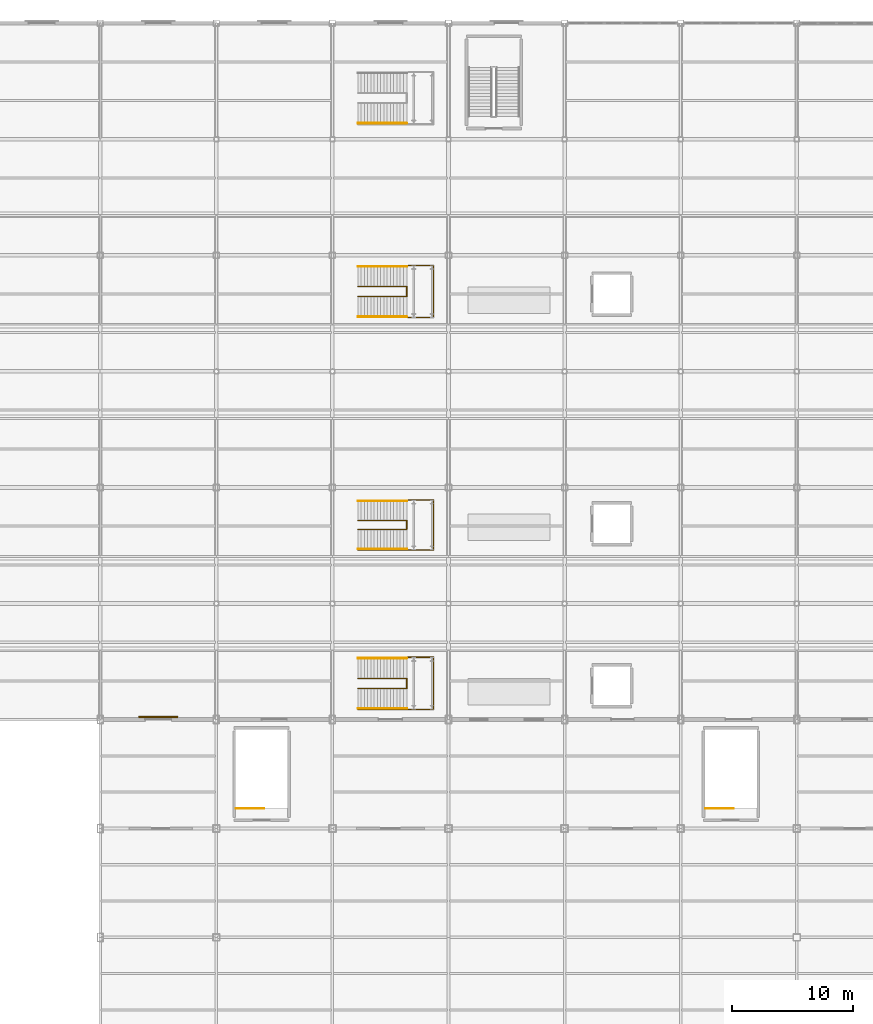
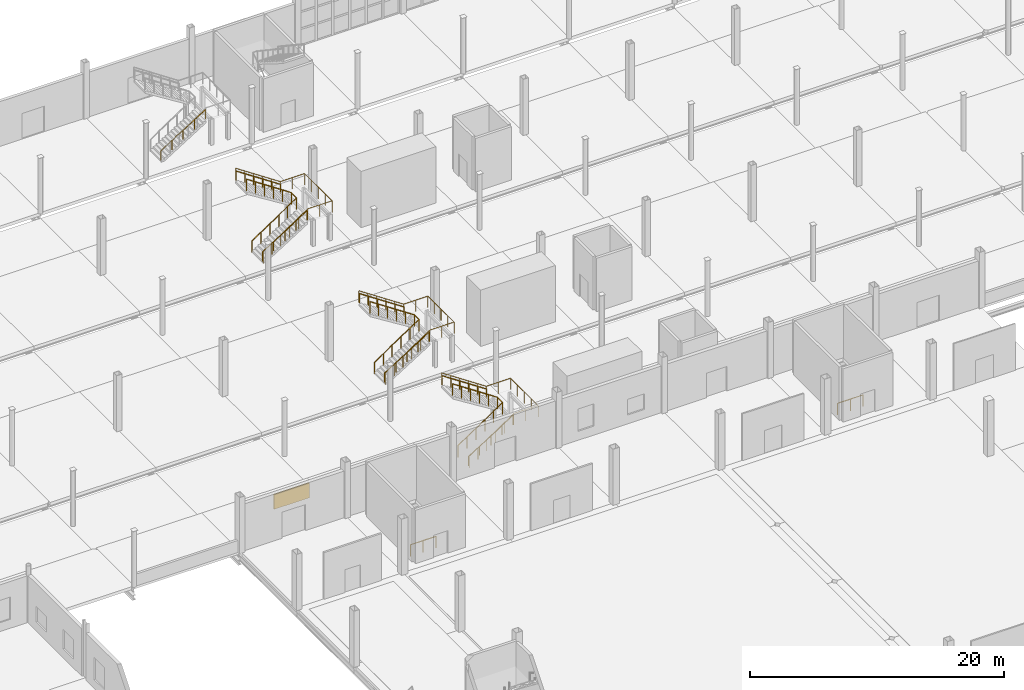
# One storey, part 81 of 85: 15 railings, 1 shading device.
"""IFC4 building model written with IfcOpenShell, lengths in metres."""

from ifc_helpers import new_model, si_unit, direction, frame, origin, origin_2d, place, context, subcontext, project, spatial, rectangle, circle, extrude, material, type_object, element, save


model = new_model("IFC4")

# Units and contexts
model_context = context("Model", 3, precision=1e-05, world=origin(), true_north=direction((0.0, 1.0)))
body_context = subcontext(model_context, "Body", "Model", "MODEL_VIEW")
ifc_project = project(units=[si_unit("LENGTHUNIT", "METRE"), si_unit("AREAUNIT", "SQUARE_METRE"), si_unit("VOLUMEUNIT", "CUBIC_METRE"), si_unit("PLANEANGLEUNIT", "RADIAN"), si_unit("MASSUNIT", "GRAM", prefix="KILO")], contexts=[model_context])

# Site, building, storey
site_placement = place(None, origin())
site = spatial("IfcSite", under=ifc_project, at=site_placement, CompositionType="ELEMENT")
building_placement = place(site_placement, origin())
building = spatial("IfcBuilding", under=site, at=building_placement, Name="Zarnetskaya Central Station", CompositionType="ELEMENT")
storey_placement = place(building_placement, origin())
storey = spatial("IfcBuildingStorey", under=building, at=storey_placement, Name="L00", CompositionType="ELEMENT", Elevation=0.0)

# Railings
ifc_material_1 = material(Name="Steel S355", Category="steel")
railing_type_1 = type_object("IfcRailingType", Name="RAIL-HAND-900", PredefinedType="HANDRAIL", material=ifc_material_1)
railing_1_placement = place(storey_placement, frame((78.89990234375, 68.1201171875, 0.168701171875)))
element("IfcRailing", 1, at=railing_1_placement, inside=storey, type_object=railing_type_1, Name="Platform stair ST-P1 handrail 1", PredefinedType="HANDRAIL", context=body_context, shape_type="SweptSolid", body=[
    extrude(circle(Radius=0.02392578125, at=origin_2d()), frame((0.0, 0.0, 0.8759765625), z_axis=(0.848001175806, 0.0, 0.529994345094), x_axis=(0.0, 1.0, 0.0)), (0.0, 0.0, 1.0), 4.77587890625),
    extrude(circle(Radius=0.02099609375, at=origin_2d()), origin(), (0.0, 0.0, 1.0), 0.851806640625),
    extrude(circle(Radius=0.02099609375, at=origin_2d()), frame((1.012451171875, 0.0, 0.6328125)), (0.0, 0.0, 1.0), 0.851806640625),
    extrude(circle(Radius=0.02099609375, at=origin_2d()), frame((2.02490234375, 0.0, 1.265625)), (0.0, 0.0, 1.0), 0.851806640625),
    extrude(circle(Radius=0.02099609375, at=origin_2d()), frame((3.03759765625, 0.0, 1.8984375)), (0.0, 0.0, 1.0), 0.851806640625),
    extrude(circle(Radius=0.02099609375, at=origin_2d()), frame((4.050048828125, 0.0, 2.53125)), (0.0, 0.0, 1.0), 0.851806640625),
])
railing_2_placement = place(storey_placement, frame((82.949951171875, 72.280029296875, 2.699951171875)))
element("IfcRailing", 2, at=railing_2_placement, inside=storey, type_object=railing_type_1, Name="Platform stair ST-P1 handrail 2", PredefinedType="HANDRAIL", context=body_context, shape_type="SweptSolid", body=[
    extrude(circle(Radius=0.02392578125, at=origin_2d()), frame((0.0, 0.0, 0.8759765625), z_axis=(-0.832058010752, 0.0, 0.55468862143), x_axis=(0.0, -1.0, 0.0)), (0.0, 0.0, 1.0), 4.867431640625),
    extrude(circle(Radius=0.02099609375, at=origin_2d()), origin(), (0.0, 0.0, 1.0), 0.851806640625),
    extrude(circle(Radius=0.02099609375, at=origin_2d()), frame((-0.81005859375, 0.0, 0.5400390625)), (0.0, 0.0, 1.0), 0.851806640625),
    extrude(circle(Radius=0.02099609375, at=origin_2d()), frame((-1.6201171875, 0.0, 1.080078125)), (0.0, 0.0, 1.0), 0.851806640625),
    extrude(circle(Radius=0.02099609375, at=origin_2d()), frame((-2.429931640625, 0.0, 1.619873046875)), (0.0, 0.0, 1.0), 0.851806640625),
    extrude(circle(Radius=0.02099609375, at=origin_2d()), frame((-3.239990234375, 0.0, 2.159912109375)), (0.0, 0.0, 1.0), 0.851806640625),
    extrude(circle(Radius=0.02099609375, at=origin_2d()), frame((-4.050048828125, 0.0, 2.699951171875)), (0.0, 0.0, 1.0), 0.851806640625),
])
railing_3_placement = place(storey_placement, frame((78.89990234375, 81.320068359375, 0.168701171875)))
element("IfcRailing", 3, at=railing_3_placement, inside=storey, type_object=railing_type_1, Name="Platform stair ST-P2 handrail 1", PredefinedType="HANDRAIL", context=body_context, shape_type="SweptSolid", body=[
    extrude(circle(Radius=0.02392578125, at=origin_2d()), frame((0.0, 0.0, 0.8759765625), z_axis=(0.848001175806, 0.0, 0.529994345094), x_axis=(0.0, 1.0, 0.0)), (0.0, 0.0, 1.0), 4.77587890625),
    extrude(circle(Radius=0.02099609375, at=origin_2d()), origin(), (0.0, 0.0, 1.0), 0.851806640625),
    extrude(circle(Radius=0.02099609375, at=origin_2d()), frame((1.012451171875, 0.0, 0.6328125)), (0.0, 0.0, 1.0), 0.851806640625),
    extrude(circle(Radius=0.02099609375, at=origin_2d()), frame((2.02490234375, 0.0, 1.265625)), (0.0, 0.0, 1.0), 0.851806640625),
    extrude(circle(Radius=0.02099609375, at=origin_2d()), frame((3.03759765625, 0.0, 1.8984375)), (0.0, 0.0, 1.0), 0.851806640625),
    extrude(circle(Radius=0.02099609375, at=origin_2d()), frame((4.050048828125, 0.0, 2.53125)), (0.0, 0.0, 1.0), 0.851806640625),
])
railing_4_placement = place(storey_placement, frame((82.949951171875, 85.280029296875, 2.699951171875)))
element("IfcRailing", 4, at=railing_4_placement, inside=storey, type_object=railing_type_1, Name="Platform stair ST-P2 handrail 2", PredefinedType="HANDRAIL", context=body_context, shape_type="SweptSolid", body=[
    extrude(circle(Radius=0.02392578125, at=origin_2d()), frame((0.0, 0.0, 0.8759765625), z_axis=(-0.832058010752, 0.0, 0.55468862143), x_axis=(0.0, -1.0, 0.0)), (0.0, 0.0, 1.0), 4.867431640625),
    extrude(circle(Radius=0.02099609375, at=origin_2d()), origin(), (0.0, 0.0, 1.0), 0.851806640625),
    extrude(circle(Radius=0.02099609375, at=origin_2d()), frame((-0.81005859375, 0.0, 0.5400390625)), (0.0, 0.0, 1.0), 0.851806640625),
    extrude(circle(Radius=0.02099609375, at=origin_2d()), frame((-1.6201171875, 0.0, 1.080078125)), (0.0, 0.0, 1.0), 0.851806640625),
    extrude(circle(Radius=0.02099609375, at=origin_2d()), frame((-2.429931640625, 0.0, 1.619873046875)), (0.0, 0.0, 1.0), 0.851806640625),
    extrude(circle(Radius=0.02099609375, at=origin_2d()), frame((-3.239990234375, 0.0, 2.159912109375)), (0.0, 0.0, 1.0), 0.851806640625),
    extrude(circle(Radius=0.02099609375, at=origin_2d()), frame((-4.050048828125, 0.0, 2.699951171875)), (0.0, 0.0, 1.0), 0.851806640625),
])
railing_5_placement = place(storey_placement, frame((78.89990234375, 100.52001953125, 0.168701171875)))
element("IfcRailing", 5, at=railing_5_placement, inside=storey, type_object=railing_type_1, Name="Platform stair ST-P3 handrail 1", PredefinedType="HANDRAIL", context=body_context, shape_type="SweptSolid", body=[
    extrude(circle(Radius=0.02392578125, at=origin_2d()), frame((0.0, 0.0, 0.8759765625), z_axis=(0.848001175806, 0.0, 0.529994345094), x_axis=(0.0, 1.0, 0.0)), (0.0, 0.0, 1.0), 4.77587890625),
    extrude(circle(Radius=0.02099609375, at=origin_2d()), origin(), (0.0, 0.0, 1.0), 0.851806640625),
    extrude(circle(Radius=0.02099609375, at=origin_2d()), frame((1.012451171875, 0.0, 0.6328125)), (0.0, 0.0, 1.0), 0.851806640625),
    extrude(circle(Radius=0.02099609375, at=origin_2d()), frame((2.02490234375, 0.0, 1.265625)), (0.0, 0.0, 1.0), 0.851806640625),
    extrude(circle(Radius=0.02099609375, at=origin_2d()), frame((3.03759765625, 0.0, 1.8984375)), (0.0, 0.0, 1.0), 0.851806640625),
    extrude(circle(Radius=0.02099609375, at=origin_2d()), frame((4.050048828125, 0.0, 2.53125)), (0.0, 0.0, 1.0), 0.851806640625),
])
railing_6_placement = place(storey_placement, frame((82.949951171875, 104.679931640625, 2.699951171875)))
element("IfcRailing", 6, at=railing_6_placement, inside=storey, type_object=railing_type_1, Name="Platform stair ST-P3 handrail 2", PredefinedType="HANDRAIL", context=body_context, shape_type="SweptSolid", body=[
    extrude(circle(Radius=0.02392578125, at=origin_2d()), frame((0.0, 0.0, 0.8759765625), z_axis=(-0.832058010752, 0.0, 0.55468862143), x_axis=(0.0, -1.0, 0.0)), (0.0, 0.0, 1.0), 4.867431640625),
    extrude(circle(Radius=0.02099609375, at=origin_2d()), origin(), (0.0, 0.0, 1.0), 0.851806640625),
    extrude(circle(Radius=0.02099609375, at=origin_2d()), frame((-0.81005859375, 0.0, 0.5400390625)), (0.0, 0.0, 1.0), 0.851806640625),
    extrude(circle(Radius=0.02099609375, at=origin_2d()), frame((-1.6201171875, 0.0, 1.080078125)), (0.0, 0.0, 1.0), 0.851806640625),
    extrude(circle(Radius=0.02099609375, at=origin_2d()), frame((-2.429931640625, 0.0, 1.619873046875)), (0.0, 0.0, 1.0), 0.851806640625),
    extrude(circle(Radius=0.02099609375, at=origin_2d()), frame((-3.239990234375, 0.0, 2.159912109375)), (0.0, 0.0, 1.0), 0.851806640625),
    extrude(circle(Radius=0.02099609375, at=origin_2d()), frame((-4.050048828125, 0.0, 2.699951171875)), (0.0, 0.0, 1.0), 0.851806640625),
])
railing_7_placement = place(storey_placement, frame((78.89990234375, 116.52001953125, 0.168701171875)))
element("IfcRailing", 7, at=railing_7_placement, inside=storey, type_object=railing_type_1, Name="Platform stair ST-P4 handrail 1", PredefinedType="HANDRAIL", context=body_context, shape_type="SweptSolid", body=[
    extrude(circle(Radius=0.02392578125, at=origin_2d()), frame((0.0, 0.0, 0.8759765625), z_axis=(0.848001175806, 0.0, 0.529994345094), x_axis=(0.0, 1.0, 0.0)), (0.0, 0.0, 1.0), 4.77587890625),
    extrude(circle(Radius=0.02099609375, at=origin_2d()), origin(), (0.0, 0.0, 1.0), 0.851806640625),
    extrude(circle(Radius=0.02099609375, at=origin_2d()), frame((1.012451171875, 0.0, 0.6328125)), (0.0, 0.0, 1.0), 0.851806640625),
    extrude(circle(Radius=0.02099609375, at=origin_2d()), frame((2.02490234375, 0.0, 1.265625)), (0.0, 0.0, 1.0), 0.851806640625),
    extrude(circle(Radius=0.02099609375, at=origin_2d()), frame((3.03759765625, 0.0, 1.8984375)), (0.0, 0.0, 1.0), 0.851806640625),
    extrude(circle(Radius=0.02099609375, at=origin_2d()), frame((4.050048828125, 0.0, 2.53125)), (0.0, 0.0, 1.0), 0.851806640625),
])
railing_type_2 = type_object("IfcRailingType", Name="RAIL-STAIR-GRD", PredefinedType="BALUSTRADE", material=ifc_material_1)
railing_8_placement = place(storey_placement, frame((68.840087890625, 59.860107421875, 0.0)))
element("IfcRailing", 8, at=railing_8_placement, inside=storey, type_object=railing_type_2, Name="Stair ST-U1 L00 floor well guard", PredefinedType="BALUSTRADE", context=body_context, shape_type="SweptSolid", body=[
    extrude(circle(Radius=0.02392578125, at=origin_2d()), frame((0.0, 0.0, 1.09619140625), z_axis=(1.0, 0.0, 0.0), x_axis=(0.0, 1.0, 0.0)), (0.0, 0.0, 1.0), 2.31982421875),
    extrude(circle(Radius=0.02099609375, at=origin_2d()), origin(), (0.0, 0.0, 1.0), 1.072021484375),
    extrude(circle(Radius=0.02099609375, at=origin_2d()), frame((1.159912109375, 0.0, 0.0)), (0.0, 0.0, 1.0), 1.072021484375),
    extrude(circle(Radius=0.02099609375, at=origin_2d()), frame((2.31982421875, 0.0, 0.0)), (0.0, 0.0, 1.0), 1.072021484375),
])
railing_9_placement = place(storey_placement, frame((107.639892578125, 59.860107421875, 0.0)))
element("IfcRailing", 9, at=railing_9_placement, inside=storey, type_object=railing_type_2, Name="Stair ST-U2 L00 floor well guard", PredefinedType="BALUSTRADE", context=body_context, shape_type="SweptSolid", body=[
    extrude(circle(Radius=0.02392578125, at=origin_2d()), frame((0.0, 0.0, 1.09619140625), z_axis=(1.0, 0.0, 0.0), x_axis=(0.0, 1.0, 0.0)), (0.0, 0.0, 1.0), 2.320068359375),
    extrude(circle(Radius=0.02099609375, at=origin_2d()), origin(), (0.0, 0.0, 1.0), 1.072021484375),
    extrude(circle(Radius=0.02099609375, at=origin_2d()), frame((1.16015625, 0.0, 0.0)), (0.0, 0.0, 1.0), 1.072021484375),
    extrude(circle(Radius=0.02099609375, at=origin_2d()), frame((2.320068359375, 0.0, 0.0)), (0.0, 0.0, 1.0), 1.072021484375),
])
railing_10_placement = place(storey_placement, frame((78.89990234375, 68.0400390625, 0.0)))
element("IfcRailing", 10, at=railing_10_placement, inside=storey, type_object=railing_type_2, Name="Platform stair ST-P1 outer guard", PredefinedType="BALUSTRADE", context=body_context, shape_type="SweptSolid", body=[
    extrude(circle(Radius=0.02392578125, at=origin_2d()), frame((0.0, 0.0, 1.09619140625), z_axis=(0.832058010752, 0.0, 0.55468862143), x_axis=(0.0, 1.0, 0.0)), (0.0, 0.0, 1.0), 4.867431640625),
    extrude(circle(Radius=0.02392578125, at=origin_2d()), frame((4.050048828125, 0.0, 3.7958984375), z_axis=(1.0, 0.0, 0.0), x_axis=(0.0, 1.0, 0.0)), (0.0, 0.0, 1.0), 2.2099609375),
    extrude(circle(Radius=0.02392578125, at=origin_2d()), frame((6.260009765625, 0.0, 3.7958984375), z_axis=(0.0, 1.0, 0.0), x_axis=(-1.0, 0.0, 0.0)), (0.0, 0.0, 1.0), 4.320068359375),
    extrude(circle(Radius=0.02392578125, at=origin_2d()), frame((6.260009765625, 4.320068359375, 3.7958984375), z_axis=(-1.0, 0.0, 0.0), x_axis=(0.0, -1.0, 0.0)), (0.0, 0.0, 1.0), 2.2099609375),
    extrude(circle(Radius=0.02392578125, at=origin_2d()), frame((4.050048828125, 4.320068359375, 3.7958984375), z_axis=(-0.832058010752, 0.0, 0.55468862143), x_axis=(0.0, -1.0, 0.0)), (0.0, 0.0, 1.0), 4.867431640625),
    extrude(circle(Radius=0.02099609375, at=origin_2d()), origin(), (0.0, 0.0, 1.0), 1.072021484375),
    extrude(circle(Radius=0.02099609375, at=origin_2d()), frame((0.81005859375, 0.0, 0.5400390625)), (0.0, 0.0, 1.0), 1.072021484375),
    extrude(circle(Radius=0.02099609375, at=origin_2d()), frame((1.6201171875, 0.0, 1.080078125)), (0.0, 0.0, 1.0), 1.072021484375),
    extrude(circle(Radius=0.02099609375, at=origin_2d()), frame((2.429931640625, 0.0, 1.619873046875)), (0.0, 0.0, 1.0), 1.072021484375),
    extrude(circle(Radius=0.02099609375, at=origin_2d()), frame((3.239990234375, 0.0, 2.159912109375)), (0.0, 0.0, 1.0), 1.072021484375),
    extrude(circle(Radius=0.02099609375, at=origin_2d()), frame((4.050048828125, 0.0, 2.699951171875)), (0.0, 0.0, 1.0), 1.072021484375),
    extrude(circle(Radius=0.02099609375, at=origin_2d()), frame((5.155029296875, 0.0, 2.699951171875)), (0.0, 0.0, 1.0), 1.072021484375),
    extrude(circle(Radius=0.02099609375, at=origin_2d()), frame((6.260009765625, 0.0, 2.699951171875)), (0.0, 0.0, 1.0), 1.072021484375),
    extrude(circle(Radius=0.02099609375, at=origin_2d()), frame((6.260009765625, 1.080078125, 2.699951171875)), (0.0, 0.0, 1.0), 1.072021484375),
    extrude(circle(Radius=0.02099609375, at=origin_2d()), frame((6.260009765625, 2.16015625, 2.699951171875)), (0.0, 0.0, 1.0), 1.072021484375),
    extrude(circle(Radius=0.02099609375, at=origin_2d()), frame((6.260009765625, 3.239990234375, 2.699951171875)), (0.0, 0.0, 1.0), 1.072021484375),
    extrude(circle(Radius=0.02099609375, at=origin_2d()), frame((6.260009765625, 4.320068359375, 2.699951171875)), (0.0, 0.0, 1.0), 1.072021484375),
    extrude(circle(Radius=0.02099609375, at=origin_2d()), frame((5.155029296875, 4.320068359375, 2.699951171875)), (0.0, 0.0, 1.0), 1.072021484375),
    extrude(circle(Radius=0.02099609375, at=origin_2d()), frame((4.050048828125, 4.320068359375, 2.699951171875)), (0.0, 0.0, 1.0), 1.072021484375),
    extrude(circle(Radius=0.02099609375, at=origin_2d()), frame((3.239990234375, 4.320068359375, 3.239990234375)), (0.0, 0.0, 1.0), 1.072021484375),
    extrude(circle(Radius=0.02099609375, at=origin_2d()), frame((2.429931640625, 4.320068359375, 3.780029296875)), (0.0, 0.0, 1.0), 1.072021484375),
    extrude(circle(Radius=0.02099609375, at=origin_2d()), frame((1.6201171875, 4.320068359375, 4.31982421875)), (0.0, 0.0, 1.0), 1.072021484375),
    extrude(circle(Radius=0.02099609375, at=origin_2d()), frame((0.81005859375, 4.320068359375, 4.85986328125)), (0.0, 0.0, 1.0), 1.072021484375),
    extrude(circle(Radius=0.02099609375, at=origin_2d()), frame((0.0, 4.320068359375, 5.39990234375)), (0.0, 0.0, 1.0), 1.072021484375),
])
railing_11_placement = place(storey_placement, frame((78.89990234375, 69.780029296875, 0.0)))
element("IfcRailing", 11, at=railing_11_placement, inside=storey, type_object=railing_type_2, Name="Platform stair ST-P1 inner well guard", PredefinedType="BALUSTRADE", context=body_context, shape_type="SweptSolid", body=[
    extrude(circle(Radius=0.02392578125, at=origin_2d()), frame((0.0, 0.0, 1.09619140625), z_axis=(0.832058010752, 0.0, 0.55468862143), x_axis=(0.0, 1.0, 0.0)), (0.0, 0.0, 1.0), 4.867431640625),
    extrude(circle(Radius=0.02392578125, at=origin_2d()), frame((4.050048828125, 0.0, 3.7958984375), z_axis=(0.0, 1.0, 0.0), x_axis=(-1.0, 0.0, 0.0)), (0.0, 0.0, 1.0), 0.840087890625),
    extrude(circle(Radius=0.02392578125, at=origin_2d()), frame((4.050048828125, 0.840087890625, 3.7958984375), z_axis=(-0.832058010752, 0.0, 0.55468862143), x_axis=(0.0, -1.0, 0.0)), (0.0, 0.0, 1.0), 4.867431640625),
    extrude(circle(Radius=0.02099609375, at=origin_2d()), origin(), (0.0, 0.0, 1.0), 1.072021484375),
    extrude(circle(Radius=0.02099609375, at=origin_2d()), frame((0.81005859375, 0.0, 0.5400390625)), (0.0, 0.0, 1.0), 1.072021484375),
    extrude(circle(Radius=0.02099609375, at=origin_2d()), frame((1.6201171875, 0.0, 1.080078125)), (0.0, 0.0, 1.0), 1.072021484375),
    extrude(circle(Radius=0.02099609375, at=origin_2d()), frame((2.429931640625, 0.0, 1.619873046875)), (0.0, 0.0, 1.0), 1.072021484375),
    extrude(circle(Radius=0.02099609375, at=origin_2d()), frame((3.239990234375, 0.0, 2.159912109375)), (0.0, 0.0, 1.0), 1.072021484375),
    extrude(circle(Radius=0.02099609375, at=origin_2d()), frame((4.050048828125, 0.0, 2.699951171875)), (0.0, 0.0, 1.0), 1.072021484375),
    extrude(circle(Radius=0.02099609375, at=origin_2d()), frame((4.050048828125, 0.840087890625, 2.699951171875)), (0.0, 0.0, 1.0), 1.072021484375),
    extrude(circle(Radius=0.02099609375, at=origin_2d()), frame((3.239990234375, 0.840087890625, 3.239990234375)), (0.0, 0.0, 1.0), 1.072021484375),
    extrude(circle(Radius=0.02099609375, at=origin_2d()), frame((2.429931640625, 0.840087890625, 3.780029296875)), (0.0, 0.0, 1.0), 1.072021484375),
    extrude(circle(Radius=0.02099609375, at=origin_2d()), frame((1.6201171875, 0.840087890625, 4.31982421875)), (0.0, 0.0, 1.0), 1.072021484375),
    extrude(circle(Radius=0.02099609375, at=origin_2d()), frame((0.81005859375, 0.840087890625, 4.85986328125)), (0.0, 0.0, 1.0), 1.072021484375),
    extrude(circle(Radius=0.02099609375, at=origin_2d()), frame((0.0, 0.840087890625, 5.39990234375)), (0.0, 0.0, 1.0), 1.072021484375),
])
railing_12_placement = place(storey_placement, frame((78.89990234375, 81.239990234375, 0.0)))
element("IfcRailing", 12, at=railing_12_placement, inside=storey, type_object=railing_type_2, Name="Platform stair ST-P2 outer guard", PredefinedType="BALUSTRADE", context=body_context, shape_type="SweptSolid", body=[
    extrude(circle(Radius=0.02392578125, at=origin_2d()), frame((0.0, 0.0, 1.09619140625), z_axis=(0.832058010752, 0.0, 0.55468862143), x_axis=(0.0, 1.0, 0.0)), (0.0, 0.0, 1.0), 4.867431640625),
    extrude(circle(Radius=0.02392578125, at=origin_2d()), frame((4.050048828125, 0.0, 3.7958984375), z_axis=(1.0, 0.0, 0.0), x_axis=(0.0, 1.0, 0.0)), (0.0, 0.0, 1.0), 2.2099609375),
    extrude(circle(Radius=0.02392578125, at=origin_2d()), frame((6.260009765625, 0.0, 3.7958984375), z_axis=(0.0, 1.0, 0.0), x_axis=(-1.0, 0.0, 0.0)), (0.0, 0.0, 1.0), 4.1201171875),
    extrude(circle(Radius=0.02392578125, at=origin_2d()), frame((6.260009765625, 4.1201171875, 3.7958984375), z_axis=(-1.0, 0.0, 0.0), x_axis=(0.0, -1.0, 0.0)), (0.0, 0.0, 1.0), 2.2099609375),
    extrude(circle(Radius=0.02392578125, at=origin_2d()), frame((4.050048828125, 4.1201171875, 3.7958984375), z_axis=(-0.832058010752, 0.0, 0.55468862143), x_axis=(0.0, -1.0, 0.0)), (0.0, 0.0, 1.0), 4.867431640625),
    extrude(circle(Radius=0.02099609375, at=origin_2d()), origin(), (0.0, 0.0, 1.0), 1.072021484375),
    extrude(circle(Radius=0.02099609375, at=origin_2d()), frame((0.81005859375, 0.0, 0.5400390625)), (0.0, 0.0, 1.0), 1.072021484375),
    extrude(circle(Radius=0.02099609375, at=origin_2d()), frame((1.6201171875, 0.0, 1.080078125)), (0.0, 0.0, 1.0), 1.072021484375),
    extrude(circle(Radius=0.02099609375, at=origin_2d()), frame((2.429931640625, 0.0, 1.619873046875)), (0.0, 0.0, 1.0), 1.072021484375),
    extrude(circle(Radius=0.02099609375, at=origin_2d()), frame((3.239990234375, 0.0, 2.159912109375)), (0.0, 0.0, 1.0), 1.072021484375),
    extrude(circle(Radius=0.02099609375, at=origin_2d()), frame((4.050048828125, 0.0, 2.699951171875)), (0.0, 0.0, 1.0), 1.072021484375),
    extrude(circle(Radius=0.02099609375, at=origin_2d()), frame((5.155029296875, 0.0, 2.699951171875)), (0.0, 0.0, 1.0), 1.072021484375),
    extrude(circle(Radius=0.02099609375, at=origin_2d()), frame((6.260009765625, 0.0, 2.699951171875)), (0.0, 0.0, 1.0), 1.072021484375),
    extrude(circle(Radius=0.02099609375, at=origin_2d()), frame((6.260009765625, 1.030029296875, 2.699951171875)), (0.0, 0.0, 1.0), 1.072021484375),
    extrude(circle(Radius=0.02099609375, at=origin_2d()), frame((6.260009765625, 2.06005859375, 2.699951171875)), (0.0, 0.0, 1.0), 1.072021484375),
    extrude(circle(Radius=0.02099609375, at=origin_2d()), frame((6.260009765625, 3.090087890625, 2.699951171875)), (0.0, 0.0, 1.0), 1.072021484375),
    extrude(circle(Radius=0.02099609375, at=origin_2d()), frame((6.260009765625, 4.1201171875, 2.699951171875)), (0.0, 0.0, 1.0), 1.072021484375),
    extrude(circle(Radius=0.02099609375, at=origin_2d()), frame((5.155029296875, 4.1201171875, 2.699951171875)), (0.0, 0.0, 1.0), 1.072021484375),
    extrude(circle(Radius=0.02099609375, at=origin_2d()), frame((4.050048828125, 4.1201171875, 2.699951171875)), (0.0, 0.0, 1.0), 1.072021484375),
    extrude(circle(Radius=0.02099609375, at=origin_2d()), frame((3.239990234375, 4.1201171875, 3.239990234375)), (0.0, 0.0, 1.0), 1.072021484375),
    extrude(circle(Radius=0.02099609375, at=origin_2d()), frame((2.429931640625, 4.1201171875, 3.780029296875)), (0.0, 0.0, 1.0), 1.072021484375),
    extrude(circle(Radius=0.02099609375, at=origin_2d()), frame((1.6201171875, 4.1201171875, 4.31982421875)), (0.0, 0.0, 1.0), 1.072021484375),
    extrude(circle(Radius=0.02099609375, at=origin_2d()), frame((0.81005859375, 4.1201171875, 4.85986328125)), (0.0, 0.0, 1.0), 1.072021484375),
    extrude(circle(Radius=0.02099609375, at=origin_2d()), frame((0.0, 4.1201171875, 5.39990234375)), (0.0, 0.0, 1.0), 1.072021484375),
])
railing_13_placement = place(storey_placement, frame((78.89990234375, 82.93994140625, 0.0)))
element("IfcRailing", 13, at=railing_13_placement, inside=storey, type_object=railing_type_2, Name="Platform stair ST-P2 inner well guard", PredefinedType="BALUSTRADE", context=body_context, shape_type="SweptSolid", body=[
    extrude(circle(Radius=0.02392578125, at=origin_2d()), frame((0.0, 0.0, 1.09619140625), z_axis=(0.832058010752, 0.0, 0.55468862143), x_axis=(0.0, 1.0, 0.0)), (0.0, 0.0, 1.0), 4.867431640625),
    extrude(circle(Radius=0.02392578125, at=origin_2d()), frame((4.050048828125, 0.0, 3.7958984375), z_axis=(0.0, 1.0, 0.0), x_axis=(-1.0, 0.0, 0.0)), (0.0, 0.0, 1.0), 0.719970703125),
    extrude(circle(Radius=0.02392578125, at=origin_2d()), frame((4.050048828125, 0.719970703125, 3.7958984375), z_axis=(-0.832058010752, 0.0, 0.55468862143), x_axis=(0.0, -1.0, 0.0)), (0.0, 0.0, 1.0), 4.867431640625),
    extrude(circle(Radius=0.02099609375, at=origin_2d()), origin(), (0.0, 0.0, 1.0), 1.072021484375),
    extrude(circle(Radius=0.02099609375, at=origin_2d()), frame((0.81005859375, 0.0, 0.5400390625)), (0.0, 0.0, 1.0), 1.072021484375),
    extrude(circle(Radius=0.02099609375, at=origin_2d()), frame((1.6201171875, 0.0, 1.080078125)), (0.0, 0.0, 1.0), 1.072021484375),
    extrude(circle(Radius=0.02099609375, at=origin_2d()), frame((2.429931640625, 0.0, 1.619873046875)), (0.0, 0.0, 1.0), 1.072021484375),
    extrude(circle(Radius=0.02099609375, at=origin_2d()), frame((3.239990234375, 0.0, 2.159912109375)), (0.0, 0.0, 1.0), 1.072021484375),
    extrude(circle(Radius=0.02099609375, at=origin_2d()), frame((4.050048828125, 0.0, 2.699951171875)), (0.0, 0.0, 1.0), 1.072021484375),
    extrude(circle(Radius=0.02099609375, at=origin_2d()), frame((4.050048828125, 0.719970703125, 2.699951171875)), (0.0, 0.0, 1.0), 1.072021484375),
    extrude(circle(Radius=0.02099609375, at=origin_2d()), frame((3.239990234375, 0.719970703125, 3.239990234375)), (0.0, 0.0, 1.0), 1.072021484375),
    extrude(circle(Radius=0.02099609375, at=origin_2d()), frame((2.429931640625, 0.719970703125, 3.780029296875)), (0.0, 0.0, 1.0), 1.072021484375),
    extrude(circle(Radius=0.02099609375, at=origin_2d()), frame((1.6201171875, 0.719970703125, 4.31982421875)), (0.0, 0.0, 1.0), 1.072021484375),
    extrude(circle(Radius=0.02099609375, at=origin_2d()), frame((0.81005859375, 0.719970703125, 4.85986328125)), (0.0, 0.0, 1.0), 1.072021484375),
    extrude(circle(Radius=0.02099609375, at=origin_2d()), frame((0.0, 0.719970703125, 5.39990234375)), (0.0, 0.0, 1.0), 1.072021484375),
])
railing_14_placement = place(storey_placement, frame((78.89990234375, 100.43994140625, 0.0)))
element("IfcRailing", 14, at=railing_14_placement, inside=storey, type_object=railing_type_2, Name="Platform stair ST-P3 outer guard", PredefinedType="BALUSTRADE", context=body_context, shape_type="SweptSolid", body=[
    extrude(circle(Radius=0.02392578125, at=origin_2d()), frame((0.0, 0.0, 1.09619140625), z_axis=(0.832058010752, 0.0, 0.55468862143), x_axis=(0.0, 1.0, 0.0)), (0.0, 0.0, 1.0), 4.867431640625),
    extrude(circle(Radius=0.02392578125, at=origin_2d()), frame((4.050048828125, 0.0, 3.7958984375), z_axis=(1.0, 0.0, 0.0), x_axis=(0.0, 1.0, 0.0)), (0.0, 0.0, 1.0), 2.2099609375),
    extrude(circle(Radius=0.02392578125, at=origin_2d()), frame((6.260009765625, 0.0, 3.7958984375), z_axis=(0.0, 1.0, 0.0), x_axis=(-1.0, 0.0, 0.0)), (0.0, 0.0, 1.0), 4.320068359375),
    extrude(circle(Radius=0.02392578125, at=origin_2d()), frame((6.260009765625, 4.320068359375, 3.7958984375), z_axis=(-1.0, 0.0, 0.0), x_axis=(0.0, -1.0, 0.0)), (0.0, 0.0, 1.0), 2.2099609375),
    extrude(circle(Radius=0.02392578125, at=origin_2d()), frame((4.050048828125, 4.320068359375, 3.7958984375), z_axis=(-0.832058010752, 0.0, 0.55468862143), x_axis=(0.0, -1.0, 0.0)), (0.0, 0.0, 1.0), 4.867431640625),
    extrude(circle(Radius=0.02099609375, at=origin_2d()), origin(), (0.0, 0.0, 1.0), 1.072021484375),
    extrude(circle(Radius=0.02099609375, at=origin_2d()), frame((0.81005859375, 0.0, 0.5400390625)), (0.0, 0.0, 1.0), 1.072021484375),
    extrude(circle(Radius=0.02099609375, at=origin_2d()), frame((1.6201171875, 0.0, 1.080078125)), (0.0, 0.0, 1.0), 1.072021484375),
    extrude(circle(Radius=0.02099609375, at=origin_2d()), frame((2.429931640625, 0.0, 1.619873046875)), (0.0, 0.0, 1.0), 1.072021484375),
    extrude(circle(Radius=0.02099609375, at=origin_2d()), frame((3.239990234375, 0.0, 2.159912109375)), (0.0, 0.0, 1.0), 1.072021484375),
    extrude(circle(Radius=0.02099609375, at=origin_2d()), frame((4.050048828125, 0.0, 2.699951171875)), (0.0, 0.0, 1.0), 1.072021484375),
    extrude(circle(Radius=0.02099609375, at=origin_2d()), frame((5.155029296875, 0.0, 2.699951171875)), (0.0, 0.0, 1.0), 1.072021484375),
    extrude(circle(Radius=0.02099609375, at=origin_2d()), frame((6.260009765625, 0.0, 2.699951171875)), (0.0, 0.0, 1.0), 1.072021484375),
    extrude(circle(Radius=0.02099609375, at=origin_2d()), frame((6.260009765625, 1.080078125, 2.699951171875)), (0.0, 0.0, 1.0), 1.072021484375),
    extrude(circle(Radius=0.02099609375, at=origin_2d()), frame((6.260009765625, 2.16015625, 2.699951171875)), (0.0, 0.0, 1.0), 1.072021484375),
    extrude(circle(Radius=0.02099609375, at=origin_2d()), frame((6.260009765625, 3.239990234375, 2.699951171875)), (0.0, 0.0, 1.0), 1.072021484375),
    extrude(circle(Radius=0.02099609375, at=origin_2d()), frame((6.260009765625, 4.320068359375, 2.699951171875)), (0.0, 0.0, 1.0), 1.072021484375),
    extrude(circle(Radius=0.02099609375, at=origin_2d()), frame((5.155029296875, 4.320068359375, 2.699951171875)), (0.0, 0.0, 1.0), 1.072021484375),
    extrude(circle(Radius=0.02099609375, at=origin_2d()), frame((4.050048828125, 4.320068359375, 2.699951171875)), (0.0, 0.0, 1.0), 1.072021484375),
    extrude(circle(Radius=0.02099609375, at=origin_2d()), frame((3.239990234375, 4.320068359375, 3.239990234375)), (0.0, 0.0, 1.0), 1.072021484375),
    extrude(circle(Radius=0.02099609375, at=origin_2d()), frame((2.429931640625, 4.320068359375, 3.780029296875)), (0.0, 0.0, 1.0), 1.072021484375),
    extrude(circle(Radius=0.02099609375, at=origin_2d()), frame((1.6201171875, 4.320068359375, 4.31982421875)), (0.0, 0.0, 1.0), 1.072021484375),
    extrude(circle(Radius=0.02099609375, at=origin_2d()), frame((0.81005859375, 4.320068359375, 4.85986328125)), (0.0, 0.0, 1.0), 1.072021484375),
    extrude(circle(Radius=0.02099609375, at=origin_2d()), frame((0.0, 4.320068359375, 5.39990234375)), (0.0, 0.0, 1.0), 1.072021484375),
])
railing_15_placement = place(storey_placement, frame((78.89990234375, 102.179931640625, 0.0)))
element("IfcRailing", 15, at=railing_15_placement, inside=storey, type_object=railing_type_2, Name="Platform stair ST-P3 inner well guard", PredefinedType="BALUSTRADE", context=body_context, shape_type="SweptSolid", body=[
    extrude(circle(Radius=0.02392578125, at=origin_2d()), frame((0.0, 0.0, 1.09619140625), z_axis=(0.832058010752, 0.0, 0.55468862143), x_axis=(0.0, 1.0, 0.0)), (0.0, 0.0, 1.0), 4.867431640625),
    extrude(circle(Radius=0.02392578125, at=origin_2d()), frame((4.050048828125, 0.0, 3.7958984375), z_axis=(0.0, 1.0, 0.0), x_axis=(-1.0, 0.0, 0.0)), (0.0, 0.0, 1.0), 0.840087890625),
    extrude(circle(Radius=0.02392578125, at=origin_2d()), frame((4.050048828125, 0.840087890625, 3.7958984375), z_axis=(-0.832058010752, 0.0, 0.55468862143), x_axis=(0.0, -1.0, 0.0)), (0.0, 0.0, 1.0), 4.867431640625),
    extrude(circle(Radius=0.02099609375, at=origin_2d()), origin(), (0.0, 0.0, 1.0), 1.072021484375),
    extrude(circle(Radius=0.02099609375, at=origin_2d()), frame((0.81005859375, 0.0, 0.5400390625)), (0.0, 0.0, 1.0), 1.072021484375),
    extrude(circle(Radius=0.02099609375, at=origin_2d()), frame((1.6201171875, 0.0, 1.080078125)), (0.0, 0.0, 1.0), 1.072021484375),
    extrude(circle(Radius=0.02099609375, at=origin_2d()), frame((2.429931640625, 0.0, 1.619873046875)), (0.0, 0.0, 1.0), 1.072021484375),
    extrude(circle(Radius=0.02099609375, at=origin_2d()), frame((3.239990234375, 0.0, 2.159912109375)), (0.0, 0.0, 1.0), 1.072021484375),
    extrude(circle(Radius=0.02099609375, at=origin_2d()), frame((4.050048828125, 0.0, 2.699951171875)), (0.0, 0.0, 1.0), 1.072021484375),
    extrude(circle(Radius=0.02099609375, at=origin_2d()), frame((4.050048828125, 0.840087890625, 2.699951171875)), (0.0, 0.0, 1.0), 1.072021484375),
    extrude(circle(Radius=0.02099609375, at=origin_2d()), frame((3.239990234375, 0.840087890625, 3.239990234375)), (0.0, 0.0, 1.0), 1.072021484375),
    extrude(circle(Radius=0.02099609375, at=origin_2d()), frame((2.429931640625, 0.840087890625, 3.780029296875)), (0.0, 0.0, 1.0), 1.072021484375),
    extrude(circle(Radius=0.02099609375, at=origin_2d()), frame((1.6201171875, 0.840087890625, 4.31982421875)), (0.0, 0.0, 1.0), 1.072021484375),
    extrude(circle(Radius=0.02099609375, at=origin_2d()), frame((0.81005859375, 0.840087890625, 4.85986328125)), (0.0, 0.0, 1.0), 1.072021484375),
    extrude(circle(Radius=0.02099609375, at=origin_2d()), frame((0.0, 0.840087890625, 5.39990234375)), (0.0, 0.0, 1.0), 1.072021484375),
])

# Shading device
ifc_material_2 = material(Name="Anodised aluminium", Category="aluminium")
shading_device_type = type_object("IfcShadingDeviceType", Name="SHD-JALOUSIE-A", PredefinedType="JALOUSIE", material=ifc_material_2)
shading_device_placement = place(storey_placement, frame((62.39990234375, 67.429931640625, 2.75), z_axis=(0.0, 0.0, 1.0), x_axis=(1.0, 0.0, 0.0)))
element("IfcShadingDevice", 16, at=shading_device_placement, inside=storey, type_object=shading_device_type, Name="Acoustic ventilation jalousie L00", PredefinedType="JALOUSIE", context=body_context, shape_type="SweptSolid", body=[
    extrude(rectangle(XDim=3.199951171875, YDim=0.1201171875, at=origin_2d()), origin(), (0.0, 0.0, 1.0), 1.39990234375),
])

save(model, "model.ifc")
